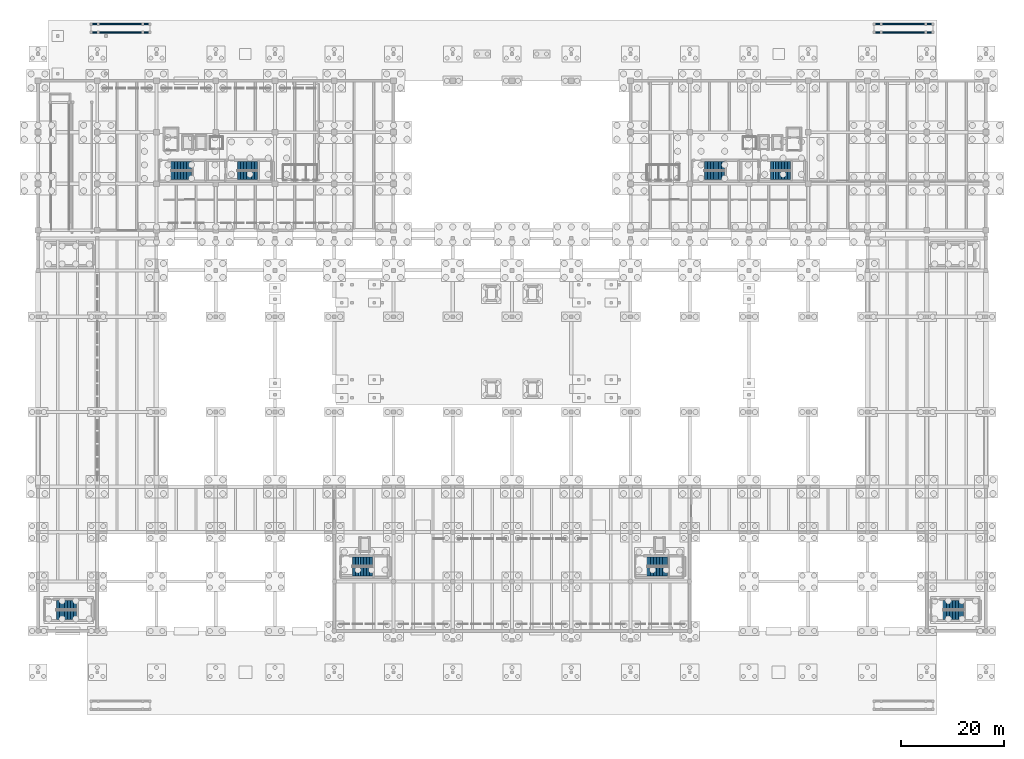
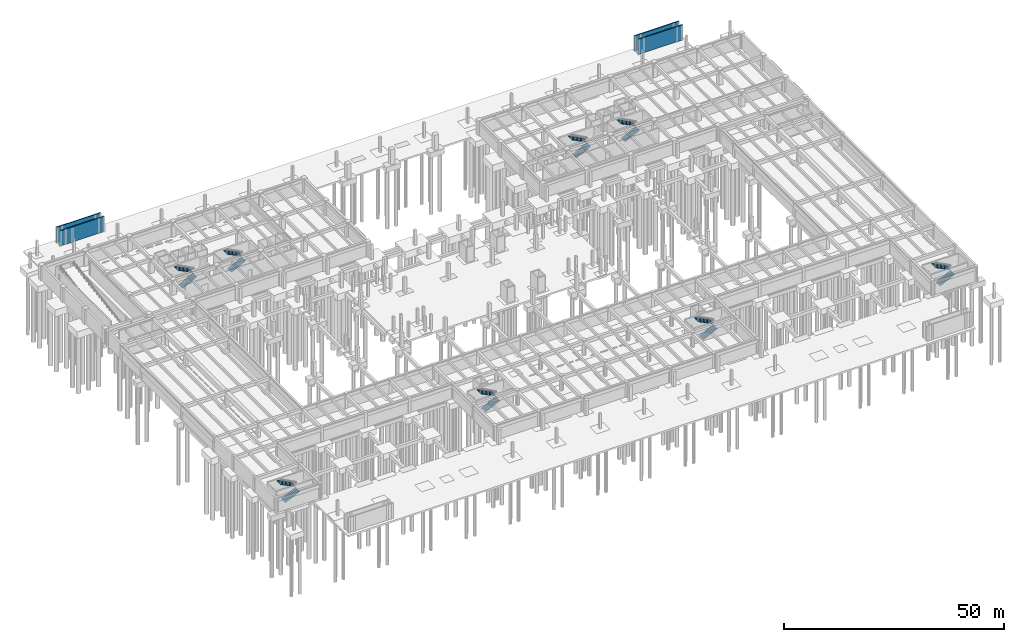
# One storey, part 24 of 28: 16 stair flights, 4 walls, 8 elements without a shape of their own.
"""IFC4 building model written with IfcOpenShell, lengths in metres."""

from ifc_helpers import new_model, si_unit, direction, frame, frame_2d, origin, place, context, subcontext, project, spatial, polyline, rectangle, outline, extrude, material, layer, layer_set, type_object, element, aggregate, save


model = new_model("IFC4")

# Units and contexts
model_context = context("Model", 3, precision=1e-05, world=origin(), true_north=direction((0.0, 1.0)))
body_context = subcontext(model_context, "Body", "Model", "MODEL_VIEW")
ifc_project = project(units=[si_unit("LENGTHUNIT", "METRE"), si_unit("AREAUNIT", "SQUARE_METRE"), si_unit("VOLUMEUNIT", "CUBIC_METRE"), si_unit("PLANEANGLEUNIT", "RADIAN"), si_unit("MASSUNIT", "GRAM", prefix="KILO")], contexts=[model_context])

# Site, building, storey
site_placement = place(None, origin())
site = spatial("IfcSite", under=ifc_project, at=site_placement, CompositionType="ELEMENT")
building_placement = place(site_placement, origin())
building = spatial("IfcBuilding", under=site, at=building_placement, Name="Ologun Quay Terminus", CompositionType="ELEMENT")
storey_placement = place(building_placement, frame((0.0, 0.0, -8.39990234375)))
storey = spatial("IfcBuildingStorey", under=building, at=storey_placement, Name="B02", CompositionType="ELEMENT", Elevation=-8.39990234375)

# Walls
ifc_material_1 = material(Name="Concrete C40/50", Category="concrete")
ifc_layer = layer(ifc_material_1, 0.27001953125)
ifc_layer_set = layer_set([ifc_layer], Name="Concrete C40/50")
wall_type = type_object("IfcWallType", Name="Vehicle Ramp Bay Structural Wall 270", PredefinedType="SHEAR", material=ifc_layer_set)
for number, where, z_axis, x_axis, name in (
    (1, (10.199951171875, 124.179931640625, 0.0), (0.0, 0.0, 1.0), (1.0, 0.0, 0.0), "SW-RMP Ramp Plinth Wall 1S B02"),
    (2, (10.199951171875, 125.820068359375, 0.0), (0.0, 0.0, 1.0), (1.0, 0.0, 0.0), "SW-RMP Ramp Plinth Wall 1N B02"),
    (3, (162.199951171875, 124.179931640625, 0.0), (0.0, 0.0, 1.0), (1.0, 0.0, 0.0), "SW-RMP Ramp Plinth Wall 2S B02"),
    (4, (162.199951171875, 125.820068359375, 0.0), (0.0, 0.0, 1.0), (1.0, 0.0, 0.0), "SW-RMP Ramp Plinth Wall 2N B02"),
):
    element("IfcWall", number, at=place(storey_placement, frame(where, z_axis=z_axis, x_axis=x_axis)), inside=storey, type_object=wall_type, Name=name, PredefinedType="SHEAR", context=body_context, shape_type="SweptSolid", body=[
        extrude(rectangle(XDim=11.60009765625, YDim=0.27001953125, at=frame_2d((5.800048828125, 0.0))), origin(), (0.0, 0.0, 1.0), 4.199951171875),
    ])

# Stair, stair flights
ifc_material_2 = material(Name="Concrete C40/50", Category="concrete")
stair_type_1 = type_object("IfcStairType", Name="Courtyard Wing Core Escape Stair 1700", PredefinedType="HALF_TURN_STAIR", material=ifc_material_2)
stair_1_placement = place(storey_placement, origin())
stair_1 = element("IfcStair", 5, at=stair_1_placement, inside=storey, type_object=stair_type_1, Name="ST-W1 Stair B02", PredefinedType="HALF_TURN_STAIR")
ifc_material_3 = material(Name="Concrete C40/50", Category="concrete")
stair_flight_type_1 = type_object("IfcStairFlightType", Name="Courtyard Wing Precast Concrete Stair Flight 1700", PredefinedType="STRAIGHT", material=ifc_material_3)
stair_flight_1_placement = place(storey_placement, frame((25.85009765625, 96.449951171875, 0.0), z_axis=(0.0, 0.0, 1.0), x_axis=(1.0, 0.0, 0.0)))
stair_flight_1 = element("IfcStairFlight", 6, at=stair_flight_1_placement, type_object=stair_flight_type_1, Name="ST-W1 Lower Flight B02", NumberOfRisers=14, NumberOfTreads=13, PredefinedType="STRAIGHT", RiserHeight=0.15, TreadLength=0.3, context=body_context, shape_type="SweptSolid", body=[
    extrude(outline(polyline([(0.0, 0.0), (0.0, 0.14990234375), (0.300048828125, 0.14990234375), (0.300048828125, 0.300048828125), (0.60009765625, 0.300048828125), (0.60009765625, 0.449951171875), (0.89990234375, 0.449951171875), (0.89990234375, 0.60009765625), (1.199951171875, 0.60009765625), (1.199951171875, 0.75), (1.5, 0.75), (1.5, 0.89990234375), (1.800048828125, 0.89990234375), (1.800048828125, 1.050048828125), (2.10009765625, 1.050048828125), (2.10009765625, 1.199951171875), (2.39990234375, 1.199951171875), (2.39990234375, 1.35009765625), (2.699951171875, 1.35009765625), (2.699951171875, 1.5), (3.0, 1.5), (3.0, 1.64990234375), (3.300048828125, 1.64990234375), (3.300048828125, 1.800048828125), (3.60009765625, 1.800048828125), (3.60009765625, 1.949951171875), (3.89990234375, 1.949951171875), (3.89990234375, 2.10009765625), (3.89990234375, 1.748779296875), (0.40234375, 0.0), (0.0, 0.0)])), frame((0.0, 0.85009765625, 0.0), z_axis=(0.0, -1.0, 0.0), x_axis=(1.0, 0.0, 0.0)), (0.0, 0.0, 1.0), 1.699951171875),
])
stair_flight_2_placement = place(storey_placement, frame((29.75, 98.25, 2.099853515625), z_axis=(0.0, 0.0, 1.0), x_axis=(-1.0, 0.0, 0.0)))
stair_flight_2 = element("IfcStairFlight", 7, at=stair_flight_2_placement, type_object=stair_flight_type_1, Name="ST-W1 Upper Flight B02", NumberOfRisers=14, NumberOfTreads=13, PredefinedType="STRAIGHT", RiserHeight=0.15, TreadLength=0.3, context=body_context, shape_type="SweptSolid", body=[
    extrude(outline(polyline([(0.0, 0.0), (0.0, 0.14990234375), (0.300048828125, 0.14990234375), (0.300048828125, 0.300048828125), (0.60009765625, 0.300048828125), (0.60009765625, 0.449951171875), (0.89990234375, 0.449951171875), (0.89990234375, 0.60009765625), (1.199951171875, 0.60009765625), (1.199951171875, 0.75), (1.5, 0.75), (1.5, 0.89990234375), (1.800048828125, 0.89990234375), (1.800048828125, 1.050048828125), (2.10009765625, 1.050048828125), (2.10009765625, 1.199951171875), (2.39990234375, 1.199951171875), (2.39990234375, 1.35009765625), (2.699951171875, 1.35009765625), (2.699951171875, 1.5), (3.0, 1.5), (3.0, 1.64990234375), (3.300048828125, 1.64990234375), (3.300048828125, 1.800048828125), (3.60009765625, 1.800048828125), (3.60009765625, 1.949951171875), (3.89990234375, 1.949951171875), (3.89990234375, 2.10009765625), (3.89990234375, 1.748779296875), (0.40234375, 0.0), (0.0, 0.0)])), frame((0.0, 0.85009765625, 0.0), z_axis=(0.0, -1.0, 0.0), x_axis=(1.0, 0.0, 0.0)), (0.0, 0.0, 1.0), 1.699951171875),
])
aggregate(stair_1, [stair_flight_1, stair_flight_2])

stair_2_placement = place(storey_placement, origin())
stair_2 = element("IfcStair", 8, at=stair_2_placement, inside=storey, type_object=stair_type_1, Name="ST-W2 Stair B02", PredefinedType="HALF_TURN_STAIR")
stair_flight_3_placement = place(storey_placement, frame((38.699951171875, 96.449951171875, 0.0), z_axis=(0.0, 0.0, 1.0), x_axis=(1.0, 0.0, 0.0)))
stair_flight_3 = element("IfcStairFlight", 9, at=stair_flight_3_placement, type_object=stair_flight_type_1, Name="ST-W2 Lower Flight B02", NumberOfRisers=14, NumberOfTreads=13, PredefinedType="STRAIGHT", RiserHeight=0.15, TreadLength=0.3, context=body_context, shape_type="SweptSolid", body=[
    extrude(outline(polyline([(0.0, 0.0), (0.0, 0.14990234375), (0.300048828125, 0.14990234375), (0.300048828125, 0.300048828125), (0.60009765625, 0.300048828125), (0.60009765625, 0.449951171875), (0.89990234375, 0.449951171875), (0.89990234375, 0.60009765625), (1.199951171875, 0.60009765625), (1.199951171875, 0.75), (1.5, 0.75), (1.5, 0.89990234375), (1.800048828125, 0.89990234375), (1.800048828125, 1.050048828125), (2.10009765625, 1.050048828125), (2.10009765625, 1.199951171875), (2.39990234375, 1.199951171875), (2.39990234375, 1.35009765625), (2.699951171875, 1.35009765625), (2.699951171875, 1.5), (3.0, 1.5), (3.0, 1.64990234375), (3.300048828125, 1.64990234375), (3.300048828125, 1.800048828125), (3.60009765625, 1.800048828125), (3.60009765625, 1.949951171875), (3.89990234375, 1.949951171875), (3.89990234375, 2.10009765625), (3.89990234375, 1.748779296875), (0.40234375, 0.0), (0.0, 0.0)])), frame((0.0, 0.85009765625, 0.0), z_axis=(0.0, -1.0, 0.0), x_axis=(1.0, 0.0, 0.0)), (0.0, 0.0, 1.0), 1.699951171875),
])
stair_flight_4_placement = place(storey_placement, frame((42.60009765625, 98.25, 2.099853515625), z_axis=(0.0, 0.0, 1.0), x_axis=(-1.0, 0.0, 0.0)))
stair_flight_4 = element("IfcStairFlight", 10, at=stair_flight_4_placement, type_object=stair_flight_type_1, Name="ST-W2 Upper Flight B02", NumberOfRisers=14, NumberOfTreads=13, PredefinedType="STRAIGHT", RiserHeight=0.15, TreadLength=0.3, context=body_context, shape_type="SweptSolid", body=[
    extrude(outline(polyline([(0.0, 0.0), (0.0, 0.14990234375), (0.300048828125, 0.14990234375), (0.300048828125, 0.300048828125), (0.60009765625, 0.300048828125), (0.60009765625, 0.449951171875), (0.89990234375, 0.449951171875), (0.89990234375, 0.60009765625), (1.199951171875, 0.60009765625), (1.199951171875, 0.75), (1.5, 0.75), (1.5, 0.89990234375), (1.800048828125, 0.89990234375), (1.800048828125, 1.050048828125), (2.10009765625, 1.050048828125), (2.10009765625, 1.199951171875), (2.39990234375, 1.199951171875), (2.39990234375, 1.35009765625), (2.699951171875, 1.35009765625), (2.699951171875, 1.5), (3.0, 1.5), (3.0, 1.64990234375), (3.300048828125, 1.64990234375), (3.300048828125, 1.800048828125), (3.60009765625, 1.800048828125), (3.60009765625, 1.949951171875), (3.89990234375, 1.949951171875), (3.89990234375, 2.10009765625), (3.89990234375, 1.748779296875), (0.40234375, 0.0), (0.0, 0.0)])), frame((0.0, 0.85009765625, 0.0), z_axis=(0.0, -1.0, 0.0), x_axis=(1.0, 0.0, 0.0)), (0.0, 0.0, 1.0), 1.699951171875),
])
aggregate(stair_2, [stair_flight_3, stair_flight_4])

stair_3_placement = place(storey_placement, origin())
stair_3 = element("IfcStair", 11, at=stair_3_placement, inside=storey, type_object=stair_type_1, Name="ST-E1 Stair B02", PredefinedType="HALF_TURN_STAIR")
stair_flight_5_placement = place(storey_placement, frame((129.35009765625, 96.449951171875, 0.0), z_axis=(0.0, 0.0, 1.0), x_axis=(1.0, 0.0, 0.0)))
stair_flight_5 = element("IfcStairFlight", 12, at=stair_flight_5_placement, type_object=stair_flight_type_1, Name="ST-E1 Lower Flight B02", NumberOfRisers=14, NumberOfTreads=13, PredefinedType="STRAIGHT", RiserHeight=0.15, TreadLength=0.3, context=body_context, shape_type="SweptSolid", body=[
    extrude(outline(polyline([(0.0, 0.0), (0.0, 0.14990234375), (0.300048828125, 0.14990234375), (0.300048828125, 0.300048828125), (0.60009765625, 0.300048828125), (0.60009765625, 0.449951171875), (0.89990234375, 0.449951171875), (0.89990234375, 0.60009765625), (1.199951171875, 0.60009765625), (1.199951171875, 0.75), (1.5, 0.75), (1.5, 0.89990234375), (1.800048828125, 0.89990234375), (1.800048828125, 1.050048828125), (2.10009765625, 1.050048828125), (2.10009765625, 1.199951171875), (2.39990234375, 1.199951171875), (2.39990234375, 1.35009765625), (2.699951171875, 1.35009765625), (2.699951171875, 1.5), (3.0, 1.5), (3.0, 1.64990234375), (3.300048828125, 1.64990234375), (3.300048828125, 1.800048828125), (3.60009765625, 1.800048828125), (3.60009765625, 1.949951171875), (3.89990234375, 1.949951171875), (3.89990234375, 2.10009765625), (3.89990234375, 1.748779296875), (0.40234375, 0.0), (0.0, 0.0)])), frame((0.0, 0.85009765625, 0.0), z_axis=(0.0, -1.0, 0.0), x_axis=(1.0, 0.0, 0.0)), (0.0, 0.0, 1.0), 1.699951171875),
])
stair_flight_6_placement = place(storey_placement, frame((133.25, 98.25, 2.099853515625), z_axis=(0.0, 0.0, 1.0), x_axis=(-1.0, 0.0, 0.0)))
stair_flight_6 = element("IfcStairFlight", 13, at=stair_flight_6_placement, type_object=stair_flight_type_1, Name="ST-E1 Upper Flight B02", NumberOfRisers=14, NumberOfTreads=13, PredefinedType="STRAIGHT", RiserHeight=0.15, TreadLength=0.3, context=body_context, shape_type="SweptSolid", body=[
    extrude(outline(polyline([(0.0, 0.0), (0.0, 0.14990234375), (0.300048828125, 0.14990234375), (0.300048828125, 0.300048828125), (0.60009765625, 0.300048828125), (0.60009765625, 0.449951171875), (0.89990234375, 0.449951171875), (0.89990234375, 0.60009765625), (1.199951171875, 0.60009765625), (1.199951171875, 0.75), (1.5, 0.75), (1.5, 0.89990234375), (1.800048828125, 0.89990234375), (1.800048828125, 1.050048828125), (2.10009765625, 1.050048828125), (2.10009765625, 1.199951171875), (2.39990234375, 1.199951171875), (2.39990234375, 1.35009765625), (2.699951171875, 1.35009765625), (2.699951171875, 1.5), (3.0, 1.5), (3.0, 1.64990234375), (3.300048828125, 1.64990234375), (3.300048828125, 1.800048828125), (3.60009765625, 1.800048828125), (3.60009765625, 1.949951171875), (3.89990234375, 1.949951171875), (3.89990234375, 2.10009765625), (3.89990234375, 1.748779296875), (0.40234375, 0.0), (0.0, 0.0)])), frame((0.0, 0.85009765625, 0.0), z_axis=(0.0, -1.0, 0.0), x_axis=(1.0, 0.0, 0.0)), (0.0, 0.0, 1.0), 1.699951171875),
])
aggregate(stair_3, [stair_flight_5, stair_flight_6])

stair_4_placement = place(storey_placement, origin())
stair_4 = element("IfcStair", 14, at=stair_4_placement, inside=storey, type_object=stair_type_1, Name="ST-E2 Stair B02", PredefinedType="HALF_TURN_STAIR")
stair_flight_7_placement = place(storey_placement, frame((142.199951171875, 96.449951171875, 0.0), z_axis=(0.0, 0.0, 1.0), x_axis=(1.0, 0.0, 0.0)))
stair_flight_7 = element("IfcStairFlight", 15, at=stair_flight_7_placement, type_object=stair_flight_type_1, Name="ST-E2 Lower Flight B02", NumberOfRisers=14, NumberOfTreads=13, PredefinedType="STRAIGHT", RiserHeight=0.15, TreadLength=0.3, context=body_context, shape_type="SweptSolid", body=[
    extrude(outline(polyline([(0.0, 0.0), (0.0, 0.14990234375), (0.300048828125, 0.14990234375), (0.300048828125, 0.300048828125), (0.60009765625, 0.300048828125), (0.60009765625, 0.449951171875), (0.89990234375, 0.449951171875), (0.89990234375, 0.60009765625), (1.199951171875, 0.60009765625), (1.199951171875, 0.75), (1.5, 0.75), (1.5, 0.89990234375), (1.800048828125, 0.89990234375), (1.800048828125, 1.050048828125), (2.10009765625, 1.050048828125), (2.10009765625, 1.199951171875), (2.39990234375, 1.199951171875), (2.39990234375, 1.35009765625), (2.699951171875, 1.35009765625), (2.699951171875, 1.5), (3.0, 1.5), (3.0, 1.64990234375), (3.300048828125, 1.64990234375), (3.300048828125, 1.800048828125), (3.60009765625, 1.800048828125), (3.60009765625, 1.949951171875), (3.89990234375, 1.949951171875), (3.89990234375, 2.10009765625), (3.89990234375, 1.748779296875), (0.40234375, 0.0), (0.0, 0.0)])), frame((0.0, 0.85009765625, 0.0), z_axis=(0.0, -1.0, 0.0), x_axis=(1.0, 0.0, 0.0)), (0.0, 0.0, 1.0), 1.699951171875),
])
stair_flight_8_placement = place(storey_placement, frame((146.10009765625, 98.25, 2.099853515625), z_axis=(0.0, 0.0, 1.0), x_axis=(-1.0, 0.0, 0.0)))
stair_flight_8 = element("IfcStairFlight", 16, at=stair_flight_8_placement, type_object=stair_flight_type_1, Name="ST-E2 Upper Flight B02", NumberOfRisers=14, NumberOfTreads=13, PredefinedType="STRAIGHT", RiserHeight=0.15, TreadLength=0.3, context=body_context, shape_type="SweptSolid", body=[
    extrude(outline(polyline([(0.0, 0.0), (0.0, 0.14990234375), (0.300048828125, 0.14990234375), (0.300048828125, 0.300048828125), (0.60009765625, 0.300048828125), (0.60009765625, 0.449951171875), (0.89990234375, 0.449951171875), (0.89990234375, 0.60009765625), (1.199951171875, 0.60009765625), (1.199951171875, 0.75), (1.5, 0.75), (1.5, 0.89990234375), (1.800048828125, 0.89990234375), (1.800048828125, 1.050048828125), (2.10009765625, 1.050048828125), (2.10009765625, 1.199951171875), (2.39990234375, 1.199951171875), (2.39990234375, 1.35009765625), (2.699951171875, 1.35009765625), (2.699951171875, 1.5), (3.0, 1.5), (3.0, 1.64990234375), (3.300048828125, 1.64990234375), (3.300048828125, 1.800048828125), (3.60009765625, 1.800048828125), (3.60009765625, 1.949951171875), (3.89990234375, 1.949951171875), (3.89990234375, 2.10009765625), (3.89990234375, 1.748779296875), (0.40234375, 0.0), (0.0, 0.0)])), frame((0.0, 0.85009765625, 0.0), z_axis=(0.0, -1.0, 0.0), x_axis=(1.0, 0.0, 0.0)), (0.0, 0.0, 1.0), 1.699951171875),
])
aggregate(stair_4, [stair_flight_7, stair_flight_8])

ifc_material_4 = material(Name="Concrete C40/50", Category="concrete")
stair_type_2 = type_object("IfcStairType", Name="Station Concourse Escape Stair 1800", PredefinedType="HALF_TURN_STAIR", material=ifc_material_4)
stair_5_placement = place(storey_placement, origin())
stair_5 = element("IfcStair", 17, at=stair_5_placement, inside=storey, type_object=stair_type_2, Name="ST-S1 Stair B02", PredefinedType="HALF_TURN_STAIR")
ifc_material_5 = material(Name="Concrete C40/50", Category="concrete")
stair_flight_type_2 = type_object("IfcStairFlightType", Name="Station Precast Concrete Stair Flight 1800", PredefinedType="STRAIGHT", material=ifc_material_5)
stair_flight_9_placement = place(storey_placement, frame((3.60009765625, 11.14990234375, 0.0), z_axis=(0.0, 0.0, 1.0), x_axis=(1.0, 0.0, 0.0)))
stair_flight_9 = element("IfcStairFlight", 18, at=stair_flight_9_placement, type_object=stair_flight_type_2, Name="ST-S1 Lower Flight B02", NumberOfRisers=14, NumberOfTreads=13, PredefinedType="STRAIGHT", RiserHeight=0.15, TreadLength=0.3, context=body_context, shape_type="SweptSolid", body=[
    extrude(outline(polyline([(0.0, 0.0), (0.0, 0.14990234375), (0.300048828125, 0.14990234375), (0.300048828125, 0.300048828125), (0.60009765625, 0.300048828125), (0.60009765625, 0.449951171875), (0.89990234375, 0.449951171875), (0.89990234375, 0.60009765625), (1.199951171875, 0.60009765625), (1.199951171875, 0.75), (1.5, 0.75), (1.5, 0.89990234375), (1.800048828125, 0.89990234375), (1.800048828125, 1.050048828125), (2.10009765625, 1.050048828125), (2.10009765625, 1.199951171875), (2.39990234375, 1.199951171875), (2.39990234375, 1.35009765625), (2.699951171875, 1.35009765625), (2.699951171875, 1.5), (3.0, 1.5), (3.0, 1.64990234375), (3.300048828125, 1.64990234375), (3.300048828125, 1.800048828125), (3.60009765625, 1.800048828125), (3.60009765625, 1.949951171875), (3.89990234375, 1.949951171875), (3.89990234375, 2.10009765625), (3.89990234375, 1.7265625), (0.447021484375, 0.0), (0.0, 0.0)])), frame((0.0, 0.89990234375, 0.0), z_axis=(0.0, -1.0, 0.0), x_axis=(1.0, 0.0, 0.0)), (0.0, 0.0, 1.0), 1.800048828125),
])
stair_flight_10_placement = place(storey_placement, frame((7.5, 13.050048828125, 2.099853515625), z_axis=(0.0, 0.0, 1.0), x_axis=(-1.0, 0.0, 0.0)))
stair_flight_10 = element("IfcStairFlight", 19, at=stair_flight_10_placement, type_object=stair_flight_type_2, Name="ST-S1 Upper Flight B02", NumberOfRisers=14, NumberOfTreads=13, PredefinedType="STRAIGHT", RiserHeight=0.15, TreadLength=0.3, context=body_context, shape_type="SweptSolid", body=[
    extrude(outline(polyline([(0.0, 0.0), (0.0, 0.14990234375), (0.300048828125, 0.14990234375), (0.300048828125, 0.300048828125), (0.60009765625, 0.300048828125), (0.60009765625, 0.449951171875), (0.89990234375, 0.449951171875), (0.89990234375, 0.60009765625), (1.199951171875, 0.60009765625), (1.199951171875, 0.75), (1.5, 0.75), (1.5, 0.89990234375), (1.800048828125, 0.89990234375), (1.800048828125, 1.050048828125), (2.10009765625, 1.050048828125), (2.10009765625, 1.199951171875), (2.39990234375, 1.199951171875), (2.39990234375, 1.35009765625), (2.699951171875, 1.35009765625), (2.699951171875, 1.5), (3.0, 1.5), (3.0, 1.64990234375), (3.300048828125, 1.64990234375), (3.300048828125, 1.800048828125), (3.60009765625, 1.800048828125), (3.60009765625, 1.949951171875), (3.89990234375, 1.949951171875), (3.89990234375, 2.10009765625), (3.89990234375, 1.7265625), (0.447021484375, 0.0), (0.0, 0.0)])), frame((0.0, 0.89990234375, 0.0), z_axis=(0.0, -1.0, 0.0), x_axis=(1.0, 0.0, 0.0)), (0.0, 0.0, 1.0), 1.800048828125),
])
aggregate(stair_5, [stair_flight_9, stair_flight_10])

stair_6_placement = place(storey_placement, origin())
stair_6 = element("IfcStair", 20, at=stair_6_placement, inside=storey, type_object=stair_type_2, Name="ST-S2 Stair B02", PredefinedType="HALF_TURN_STAIR")
stair_flight_11_placement = place(storey_placement, frame((175.699951171875, 11.14990234375, 0.0), z_axis=(0.0, 0.0, 1.0), x_axis=(1.0, 0.0, 0.0)))
stair_flight_11 = element("IfcStairFlight", 21, at=stair_flight_11_placement, type_object=stair_flight_type_2, Name="ST-S2 Lower Flight B02", NumberOfRisers=14, NumberOfTreads=13, PredefinedType="STRAIGHT", RiserHeight=0.15, TreadLength=0.3, context=body_context, shape_type="SweptSolid", body=[
    extrude(outline(polyline([(0.0, 0.0), (0.0, 0.14990234375), (0.300048828125, 0.14990234375), (0.300048828125, 0.300048828125), (0.60009765625, 0.300048828125), (0.60009765625, 0.449951171875), (0.89990234375, 0.449951171875), (0.89990234375, 0.60009765625), (1.199951171875, 0.60009765625), (1.199951171875, 0.75), (1.5, 0.75), (1.5, 0.89990234375), (1.800048828125, 0.89990234375), (1.800048828125, 1.050048828125), (2.10009765625, 1.050048828125), (2.10009765625, 1.199951171875), (2.39990234375, 1.199951171875), (2.39990234375, 1.35009765625), (2.699951171875, 1.35009765625), (2.699951171875, 1.5), (3.0, 1.5), (3.0, 1.64990234375), (3.300048828125, 1.64990234375), (3.300048828125, 1.800048828125), (3.60009765625, 1.800048828125), (3.60009765625, 1.949951171875), (3.89990234375, 1.949951171875), (3.89990234375, 2.10009765625), (3.89990234375, 1.7265625), (0.447021484375, 0.0), (0.0, 0.0)])), frame((0.0, 0.89990234375, 0.0), z_axis=(0.0, -1.0, 0.0), x_axis=(1.0, 0.0, 0.0)), (0.0, 0.0, 1.0), 1.800048828125),
])
stair_flight_12_placement = place(storey_placement, frame((179.60009765625, 13.050048828125, 2.099853515625), z_axis=(0.0, 0.0, 1.0), x_axis=(-1.0, 0.0, 0.0)))
stair_flight_12 = element("IfcStairFlight", 22, at=stair_flight_12_placement, type_object=stair_flight_type_2, Name="ST-S2 Upper Flight B02", NumberOfRisers=14, NumberOfTreads=13, PredefinedType="STRAIGHT", RiserHeight=0.15, TreadLength=0.3, context=body_context, shape_type="SweptSolid", body=[
    extrude(outline(polyline([(0.0, 0.0), (0.0, 0.14990234375), (0.300048828125, 0.14990234375), (0.300048828125, 0.300048828125), (0.60009765625, 0.300048828125), (0.60009765625, 0.449951171875), (0.89990234375, 0.449951171875), (0.89990234375, 0.60009765625), (1.199951171875, 0.60009765625), (1.199951171875, 0.75), (1.5, 0.75), (1.5, 0.89990234375), (1.800048828125, 0.89990234375), (1.800048828125, 1.050048828125), (2.10009765625, 1.050048828125), (2.10009765625, 1.199951171875), (2.39990234375, 1.199951171875), (2.39990234375, 1.35009765625), (2.699951171875, 1.35009765625), (2.699951171875, 1.5), (3.0, 1.5), (3.0, 1.64990234375), (3.300048828125, 1.64990234375), (3.300048828125, 1.800048828125), (3.60009765625, 1.800048828125), (3.60009765625, 1.949951171875), (3.89990234375, 1.949951171875), (3.89990234375, 2.10009765625), (3.89990234375, 1.7265625), (0.447021484375, 0.0), (0.0, 0.0)])), frame((0.0, 0.89990234375, 0.0), z_axis=(0.0, -1.0, 0.0), x_axis=(1.0, 0.0, 0.0)), (0.0, 0.0, 1.0), 1.800048828125),
])
aggregate(stair_6, [stair_flight_11, stair_flight_12])

stair_7_placement = place(storey_placement, origin())
stair_7 = element("IfcStair", 23, at=stair_7_placement, inside=storey, type_object=stair_type_2, Name="ST-S3 Stair B02", PredefinedType="HALF_TURN_STAIR")
stair_flight_13_placement = place(storey_placement, frame((61.050048828125, 19.550048828125, 0.0), z_axis=(0.0, 0.0, 1.0), x_axis=(1.0, 0.0, 0.0)))
stair_flight_13 = element("IfcStairFlight", 24, at=stair_flight_13_placement, type_object=stair_flight_type_2, Name="ST-S3 Lower Flight B02", NumberOfRisers=14, NumberOfTreads=13, PredefinedType="STRAIGHT", RiserHeight=0.15, TreadLength=0.3, context=body_context, shape_type="SweptSolid", body=[
    extrude(outline(polyline([(0.0, 0.0), (0.0, 0.14990234375), (0.300048828125, 0.14990234375), (0.300048828125, 0.300048828125), (0.60009765625, 0.300048828125), (0.60009765625, 0.449951171875), (0.89990234375, 0.449951171875), (0.89990234375, 0.60009765625), (1.199951171875, 0.60009765625), (1.199951171875, 0.75), (1.5, 0.75), (1.5, 0.89990234375), (1.800048828125, 0.89990234375), (1.800048828125, 1.050048828125), (2.10009765625, 1.050048828125), (2.10009765625, 1.199951171875), (2.39990234375, 1.199951171875), (2.39990234375, 1.35009765625), (2.699951171875, 1.35009765625), (2.699951171875, 1.5), (3.0, 1.5), (3.0, 1.64990234375), (3.300048828125, 1.64990234375), (3.300048828125, 1.800048828125), (3.60009765625, 1.800048828125), (3.60009765625, 1.949951171875), (3.89990234375, 1.949951171875), (3.89990234375, 2.10009765625), (3.89990234375, 1.7265625), (0.447021484375, 0.0), (0.0, 0.0)])), frame((0.0, 0.89990234375, 0.0), z_axis=(0.0, -1.0, 0.0), x_axis=(1.0, 0.0, 0.0)), (0.0, 0.0, 1.0), 1.800048828125),
])
stair_flight_14_placement = place(storey_placement, frame((64.949951171875, 21.449951171875, 2.099853515625), z_axis=(0.0, 0.0, 1.0), x_axis=(-1.0, 0.0, 0.0)))
stair_flight_14 = element("IfcStairFlight", 25, at=stair_flight_14_placement, type_object=stair_flight_type_2, Name="ST-S3 Upper Flight B02", NumberOfRisers=14, NumberOfTreads=13, PredefinedType="STRAIGHT", RiserHeight=0.15, TreadLength=0.3, context=body_context, shape_type="SweptSolid", body=[
    extrude(outline(polyline([(0.0, 0.0), (0.0, 0.14990234375), (0.300048828125, 0.14990234375), (0.300048828125, 0.300048828125), (0.60009765625, 0.300048828125), (0.60009765625, 0.449951171875), (0.89990234375, 0.449951171875), (0.89990234375, 0.60009765625), (1.199951171875, 0.60009765625), (1.199951171875, 0.75), (1.5, 0.75), (1.5, 0.89990234375), (1.800048828125, 0.89990234375), (1.800048828125, 1.050048828125), (2.10009765625, 1.050048828125), (2.10009765625, 1.199951171875), (2.39990234375, 1.199951171875), (2.39990234375, 1.35009765625), (2.699951171875, 1.35009765625), (2.699951171875, 1.5), (3.0, 1.5), (3.0, 1.64990234375), (3.300048828125, 1.64990234375), (3.300048828125, 1.800048828125), (3.60009765625, 1.800048828125), (3.60009765625, 1.949951171875), (3.89990234375, 1.949951171875), (3.89990234375, 2.10009765625), (3.89990234375, 1.7265625), (0.447021484375, 0.0), (0.0, 0.0)])), frame((0.0, 0.89990234375, 0.0), z_axis=(0.0, -1.0, 0.0), x_axis=(1.0, 0.0, 0.0)), (0.0, 0.0, 1.0), 1.800048828125),
])
aggregate(stair_7, [stair_flight_13, stair_flight_14])

stair_8_placement = place(storey_placement, origin())
stair_8 = element("IfcStair", 26, at=stair_8_placement, inside=storey, type_object=stair_type_2, Name="ST-S4 Stair B02", PredefinedType="HALF_TURN_STAIR")
stair_flight_15_placement = place(storey_placement, frame((118.25, 19.550048828125, 0.0), z_axis=(0.0, 0.0, 1.0), x_axis=(1.0, 0.0, 0.0)))
stair_flight_15 = element("IfcStairFlight", 27, at=stair_flight_15_placement, type_object=stair_flight_type_2, Name="ST-S4 Lower Flight B02", NumberOfRisers=14, NumberOfTreads=13, PredefinedType="STRAIGHT", RiserHeight=0.15, TreadLength=0.3, context=body_context, shape_type="SweptSolid", body=[
    extrude(outline(polyline([(0.0, 0.0), (0.0, 0.14990234375), (0.300048828125, 0.14990234375), (0.300048828125, 0.300048828125), (0.60009765625, 0.300048828125), (0.60009765625, 0.449951171875), (0.89990234375, 0.449951171875), (0.89990234375, 0.60009765625), (1.199951171875, 0.60009765625), (1.199951171875, 0.75), (1.5, 0.75), (1.5, 0.89990234375), (1.800048828125, 0.89990234375), (1.800048828125, 1.050048828125), (2.10009765625, 1.050048828125), (2.10009765625, 1.199951171875), (2.39990234375, 1.199951171875), (2.39990234375, 1.35009765625), (2.699951171875, 1.35009765625), (2.699951171875, 1.5), (3.0, 1.5), (3.0, 1.64990234375), (3.300048828125, 1.64990234375), (3.300048828125, 1.800048828125), (3.60009765625, 1.800048828125), (3.60009765625, 1.949951171875), (3.89990234375, 1.949951171875), (3.89990234375, 2.10009765625), (3.89990234375, 1.7265625), (0.447021484375, 0.0), (0.0, 0.0)])), frame((0.0, 0.89990234375, 0.0), z_axis=(0.0, -1.0, 0.0), x_axis=(1.0, 0.0, 0.0)), (0.0, 0.0, 1.0), 1.800048828125),
])
stair_flight_16_placement = place(storey_placement, frame((122.14990234375, 21.449951171875, 2.099853515625), z_axis=(0.0, 0.0, 1.0), x_axis=(-1.0, 0.0, 0.0)))
stair_flight_16 = element("IfcStairFlight", 28, at=stair_flight_16_placement, type_object=stair_flight_type_2, Name="ST-S4 Upper Flight B02", NumberOfRisers=14, NumberOfTreads=13, PredefinedType="STRAIGHT", RiserHeight=0.15, TreadLength=0.3, context=body_context, shape_type="SweptSolid", body=[
    extrude(outline(polyline([(0.0, 0.0), (0.0, 0.14990234375), (0.300048828125, 0.14990234375), (0.300048828125, 0.300048828125), (0.60009765625, 0.300048828125), (0.60009765625, 0.449951171875), (0.89990234375, 0.449951171875), (0.89990234375, 0.60009765625), (1.199951171875, 0.60009765625), (1.199951171875, 0.75), (1.5, 0.75), (1.5, 0.89990234375), (1.800048828125, 0.89990234375), (1.800048828125, 1.050048828125), (2.10009765625, 1.050048828125), (2.10009765625, 1.199951171875), (2.39990234375, 1.199951171875), (2.39990234375, 1.35009765625), (2.699951171875, 1.35009765625), (2.699951171875, 1.5), (3.0, 1.5), (3.0, 1.64990234375), (3.300048828125, 1.64990234375), (3.300048828125, 1.800048828125), (3.60009765625, 1.800048828125), (3.60009765625, 1.949951171875), (3.89990234375, 1.949951171875), (3.89990234375, 2.10009765625), (3.89990234375, 1.7265625), (0.447021484375, 0.0), (0.0, 0.0)])), frame((0.0, 0.89990234375, 0.0), z_axis=(0.0, -1.0, 0.0), x_axis=(1.0, 0.0, 0.0)), (0.0, 0.0, 1.0), 1.800048828125),
])
aggregate(stair_8, [stair_flight_15, stair_flight_16])

save(model, "model.ifc")
